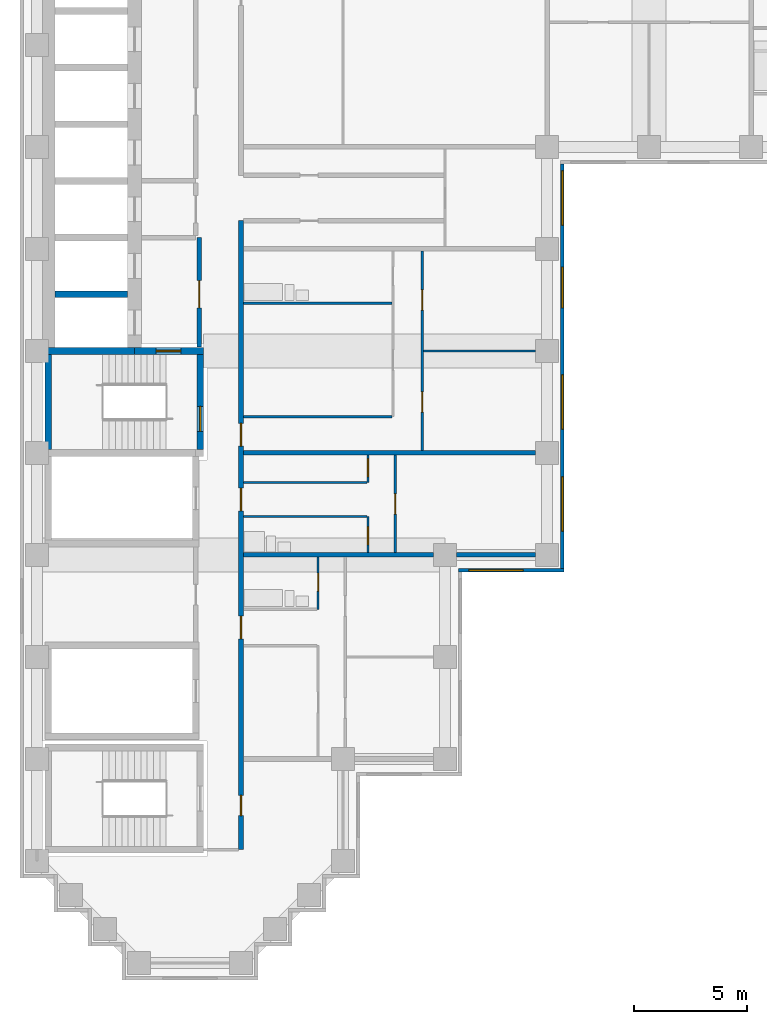
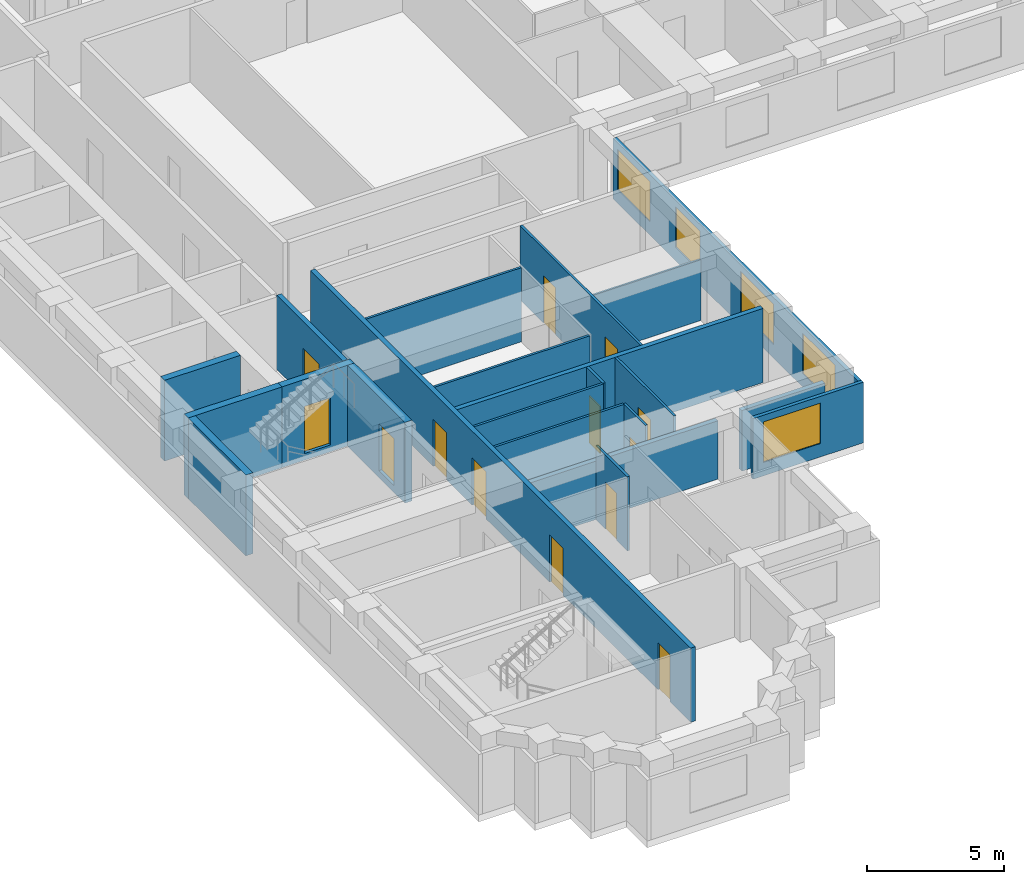
# One storey, part 3 of 12: 22 walls, 13 doors, 5 windows, 18 openings.
"""IFC4 building model written with IfcOpenShell, lengths in metres."""

import ifcopenshell
import ifcopenshell.guid

model = None  # the IFC model being written
_history = None  # IfcOwnerHistory: only IFC2X3 demands one
_inside = {}  # id of a spatial element -> (the spatial element, [elements in it])
_under = {}  # id of a project, library or spatial element -> (it, [spatial elements below it])
_declared = {}  # id of a project -> (the project, [libraries it declares])
_typed = {}  # id of a type object -> (the type object, [elements of that type])
_made_of = {}  # id of a material, layer set ... -> (it, [elements and type objects made of it])


def new_model(schema):
    """Start an empty IFC model of exactly this schema.

    Asked for "IFC4X3", IfcOpenShell would pick the latest addendum, in which some entities
    have other attributes; the version numbers below select the first issue.
    IFC2X3 requires an IfcOwnerHistory on every rooted entity: one is made here for all.
    """
    global model, _history
    if schema == "IFC4X3":
        model = ifcopenshell.file(schema_version=(4, 3, 0, 0))
    else:
        model = ifcopenshell.file(schema=schema)
    _inside.clear()
    _under.clear()
    _declared.clear()
    _typed.clear()
    _made_of.clear()
    _history = None
    if model.schema == "IFC2X3":
        org = make("IfcOrganization", Name="unknown")
        user = make(
            "IfcPersonAndOrganization",
            ThePerson=make("IfcPerson", FamilyName="unknown"),
            TheOrganization=org,
        )
        app = make(
            "IfcApplication",
            ApplicationDeveloper=org,
            Version="unknown",
            ApplicationFullName="unknown",
            ApplicationIdentifier="unknown",
        )
        _history = make(
            "IfcOwnerHistory",
            OwningUser=user,
            OwningApplication=app,
            ChangeAction="ADDED",
            CreationDate=0,
        )
    return model


def make(cls, **values):
    """One entity of the class cls with the attributes given. An attribute that is None is left unset."""
    return model.create_entity(
        cls, **{name: value for name, value in values.items() if value is not None}
    )


def rooted(cls, **values):
    """An entity with a GlobalId (a new one), such as an element, a storey or a relation."""
    return make(cls, GlobalId=ifcopenshell.guid.new(), OwnerHistory=_history, **values)


def si_unit(unit_type, name, prefix=None):
    """IfcSIUnit, for example si_unit("LENGTHUNIT", "METRE", prefix="MILLI")."""
    return make("IfcSIUnit", UnitType=unit_type, Prefix=prefix, Name=name)


def assignment(units):
    """IfcUnitAssignment: the units of a project."""
    return None if units is None else make("IfcUnitAssignment", Units=units)


def point(xyz):
    """IfcCartesianPoint."""
    return None if xyz is None else make("IfcCartesianPoint", Coordinates=xyz)


def direction(xyz):
    """IfcDirection."""
    return None if xyz is None else make("IfcDirection", DirectionRatios=xyz)


def frame(location, z_axis=None, x_axis=None):
    """IfcAxis2Placement3D, a coordinate frame: its origin and axes. An axis left out is left unset."""
    return make(
        "IfcAxis2Placement3D",
        Location=point(location),
        Axis=direction(z_axis),
        RefDirection=direction(x_axis),
    )


def frame_2d(location, x_axis=None):
    """IfcAxis2Placement2D, a coordinate frame in the plane: its origin and x axis."""
    return make(
        "IfcAxis2Placement2D", Location=point(location), RefDirection=direction(x_axis)
    )


def origin():
    """The frame at (0, 0, 0) with its axes left unset."""
    return frame((0.0, 0.0, 0.0))


def place(relative_to, where):
    """IfcLocalPlacement: puts the frame where relative to a parent placement (None: the world)."""
    return make(
        "IfcLocalPlacement", PlacementRelTo=relative_to, RelativePlacement=where
    )


def context(
    kind, dimensions, precision=None, world=None, true_north=None, identifier=None
):
    """IfcGeometricRepresentationContext, for example the 3D "Model" context."""
    return make(
        "IfcGeometricRepresentationContext",
        ContextIdentifier=identifier,
        ContextType=kind,
        CoordinateSpaceDimension=dimensions,
        Precision=precision,
        WorldCoordinateSystem=world,
        TrueNorth=true_north,
    )


def subcontext(parent, identifier, kind, view, scale=None):
    """IfcGeometricRepresentationSubContext, for example "Body" below "Model"."""
    return make(
        "IfcGeometricRepresentationSubContext",
        ContextIdentifier=identifier,
        ContextType=kind,
        ParentContext=parent,
        TargetScale=scale,
        TargetView=view,
    )


def project(units=None, contexts=None):
    """IfcProject with its units and contexts."""
    return rooted(
        "IfcProject",
        Name="project",
        RepresentationContexts=contexts,
        UnitsInContext=assignment(units),
    )


def spatial(cls, under=None, at=None, **own):
    """A site, building, storey or space (cls), placed at a placement, below another one or the project."""
    s = rooted(cls, ObjectPlacement=at, **own)
    if under is not None:
        _under.setdefault(under.id(), (under, []))[1].append(s)
    return s


def profile(cls, at=None, kind="AREA", **sizes):
    """A parametric profile (cls). Its sizes go by their IFC names, for example OverallWidth=200.0."""
    return make(cls, ProfileType=kind, Position=at, **sizes)


def rectangle(**sizes):
    """IfcRectangleProfileDef."""
    return profile("IfcRectangleProfileDef", **sizes)


def extrude(swept, where, along, depth):
    """IfcExtrudedAreaSolid: the profile swept, set in the frame where, extruded along a direction by depth."""
    return make(
        "IfcExtrudedAreaSolid",
        SweptArea=swept,
        Position=where,
        ExtrudedDirection=direction(along),
        Depth=depth,
    )


def shape(context_of_items, identifier, shape_type, items):
    """IfcShapeRepresentation: the items that make up one representation, for example the "Body"."""
    return make(
        "IfcShapeRepresentation",
        ContextOfItems=context_of_items,
        RepresentationIdentifier=identifier,
        RepresentationType=shape_type,
        Items=items,
    )


def material(Name=None, Category=None):
    """IfcMaterial."""
    return make("IfcMaterial", Name=Name, Category=Category)


def layer(
    of_material, thickness, ventilated=None, Name=None, Category=None, Priority=None
):
    """IfcMaterialLayer: one layer of a wall or slab, of a material (None: an air gap)."""
    return make(
        "IfcMaterialLayer",
        Material=of_material,
        LayerThickness=thickness,
        IsVentilated=ventilated,
        Name=Name,
        Category=Category,
        Priority=Priority,
    )


def layer_set(layers, Name=None):
    """IfcMaterialLayerSet."""
    return make("IfcMaterialLayerSet", MaterialLayers=layers, LayerSetName=Name)


def made_of(thing, what):
    """Note that an element or type object is made of a material, layer set ...; save() writes the relation."""
    if what is not None:
        _made_of.setdefault(what.id(), (what, []))[1].append(thing)
    return thing


def type_object(cls, material=None, **own):
    """A type object (cls), such as IfcWallType, which elements share."""
    return made_of(rooted(cls, **own), material)


def element(
    cls,
    number,
    at=None,
    inside=None,
    cuts=None,
    type_object=None,
    material=None,
    context=None,
    identifier="Body",
    shape_type=None,
    held_by="IfcProductDefinitionShape",
    body=None,
    shapes=None,
    **own,
):
    """One element of the class cls, such as IfcWall. Its Tag is "e" and its number.

    at: its placement. inside: the storey or other place that contains it. cuts: it is an
    opening in that element (IfcRelVoidsElement). A single representation is given by context,
    identifier, shape_type and body (its items); several are given by shapes. held_by: the class
    of the entity that holds the representations. save() writes the other relations.
    """
    e = rooted(cls, Tag="e%d" % number, ObjectPlacement=at, **own)
    if body is not None:
        shapes = [shape(context, identifier, shape_type, body)]
    if shapes is not None:
        e.Representation = make(held_by, Representations=shapes)
    if inside is not None:
        _inside.setdefault(inside.id(), (inside, []))[1].append(e)
    if cuts is not None:
        rooted(
            "IfcRelVoidsElement", RelatingBuildingElement=cuts, RelatedOpeningElement=e
        )
    if type_object is not None:
        _typed.setdefault(type_object.id(), (type_object, []))[1].append(e)
    return made_of(e, material)


def fill(opening, filler):
    """IfcRelFillsElement: the door or window that sits in an opening."""
    return rooted(
        "IfcRelFillsElement",
        RelatingOpeningElement=opening,
        RelatedBuildingElement=filler,
    )


def aggregate(whole, parts):
    """IfcRelAggregates: a whole, such as a stair, and the parts it consists of."""
    return rooted("IfcRelAggregates", RelatingObject=whole, RelatedObjects=parts)


def save(model, path):
    """Write the relations noted so far, then the file.

    IfcRelAggregates (storeys below a building ...), IfcRelContainedInSpatialStructure (elements
    in a storey), IfcRelDefinesByType, IfcRelAssociatesMaterial and IfcRelDeclares: one each for
    every whole, place, type object, material and project.
    """
    for whole, parts in _under.values():
        aggregate(whole, parts)
    for where, things in _inside.values():
        rooted(
            "IfcRelContainedInSpatialStructure",
            RelatedElements=things,
            RelatingStructure=where,
        )
    for kind, things in _typed.values():
        rooted("IfcRelDefinesByType", RelatedObjects=things, RelatingType=kind)
    for what, things in _made_of.values():
        rooted("IfcRelAssociatesMaterial", RelatedObjects=things, RelatingMaterial=what)
    for by, libraries in _declared.values():
        rooted("IfcRelDeclares", RelatingContext=by, RelatedDefinitions=libraries)
    model.write(path)


model = new_model("IFC4")

# Units and contexts
model_context = context("Model", 3, precision=1e-05, world=origin(), true_north=direction((0.0, 1.0)))
body_context = subcontext(model_context, "Body", "Model", "MODEL_VIEW")
ifc_project = project(units=[si_unit("LENGTHUNIT", "METRE"), si_unit("AREAUNIT", "SQUARE_METRE"), si_unit("VOLUMEUNIT", "CUBIC_METRE"), si_unit("PLANEANGLEUNIT", "RADIAN"), si_unit("MASSUNIT", "GRAM", prefix="KILO")], contexts=[model_context])

# Site, building, storey
site_placement = place(None, origin())
site = spatial("IfcSite", under=ifc_project, at=site_placement, CompositionType="ELEMENT")
building_placement = place(site_placement, origin())
building = spatial("IfcBuilding", under=site, at=building_placement, Name="Firuza Court", CompositionType="ELEMENT")
storey_placement = place(building_placement, frame((0.0, 0.0, 126.800048828125)))
storey = spatial("IfcBuildingStorey", under=building, at=storey_placement, Name="L31", CompositionType="ELEMENT", Elevation=126.800048828125)

# Walls
ifc_material_1 = material(Name="Moisture-resistant gypsum board partition")
ifc_layer_1 = layer(ifc_material_1, 0.10009765625)
ifc_layer_set_1 = layer_set([ifc_layer_1], Name="Moisture-resistant gypsum board partition")
wall_type_1 = type_object("IfcWallType", Name="Bathroom partition 100", PredefinedType="PLUMBINGWALL", material=ifc_layer_set_1)
wall_1_placement = place(storey_placement, frame((9.10009765625, 19.699951171875, 0.0), z_axis=(0.0, 0.0, 1.0), x_axis=(1.0, 0.0, 0.0)))
element("IfcWall", 1, at=wall_1_placement, inside=storey, type_object=wall_type_1, Name="Bathroom partition 100 L31", PredefinedType="PLUMBINGWALL", context=body_context, shape_type="SweptSolid", body=[
    extrude(rectangle(XDim=5.449951171875, YDim=0.10009765625, at=frame_2d((2.72509765625, 0.0))), origin(), (0.0, 0.0, 1.0), 3.300048828125),
])
wall_2_placement = place(storey_placement, frame((9.10009765625, 29.10009765625, 0.0), z_axis=(0.0, 0.0, 1.0), x_axis=(1.0, 0.0, 0.0)))
element("IfcWall", 2, at=wall_2_placement, inside=storey, type_object=wall_type_1, Name="Bathroom partition 100 L31", PredefinedType="PLUMBINGWALL", context=body_context, shape_type="SweptSolid", body=[
    extrude(rectangle(XDim=6.5498046875, YDim=0.10009765625, at=frame_2d((3.27490234375, 0.0))), origin(), (0.0, 0.0, 1.0), 3.300048828125),
])
ifc_material_2 = material(Name="Concrete C60/75", Category="concrete")
ifc_layer_2 = layer(ifc_material_2, 0.300048828125)
ifc_layer_set_2 = layer_set([ifc_layer_2], Name="Concrete C60/75")
wall_type_2 = type_object("IfcWallType", Name="Core wall 300 C60/75", PredefinedType="SHEAR", material=ifc_layer_set_2)
wall_3_placement = place(storey_placement, frame((0.35009765625, 27.0, -0.300048828125), z_axis=(0.0, 0.0, 1.0), x_axis=(1.0, 0.0, 0.0)))
element("IfcWall", 3, at=wall_3_placement, inside=storey, type_object=wall_type_2, Name="Core wall lift shaft L31", PredefinedType="SHEAR", context=body_context, shape_type="SweptSolid", body=[
    extrude(rectangle(XDim=3.949951171875, YDim=0.300048828125, at=frame_2d((1.97509765625, 0.0))), origin(), (0.0, 0.0, 1.0), 3.60009765625),
])
wall_4_placement = place(storey_placement, frame((0.5, 22.64990234375, -0.300048828125), z_axis=(0.0, 0.0, 1.0), x_axis=(0.0, 1.0, 0.0)))
element("IfcWall", 4, at=wall_4_placement, inside=storey, type_object=wall_type_2, Name="Core wall stair L31", PredefinedType="SHEAR", context=body_context, shape_type="SweptSolid", body=[
    extrude(rectangle(XDim=4.2001953125, YDim=0.300048828125, at=frame_2d((2.10009765625, 0.0))), origin(), (0.0, 0.0, 1.0), 3.60009765625),
])
wall_5_placement = place(storey_placement, frame((0.800048828125, 29.5, -0.300048828125), z_axis=(0.0, 0.0, 1.0), x_axis=(1.0, 0.0, 0.0)))
element("IfcWall", 5, at=wall_5_placement, inside=storey, type_object=wall_type_2, Name="Core wall lift shaft L31", PredefinedType="SHEAR", context=body_context, shape_type="SweptSolid", body=[
    extrude(rectangle(XDim=3.199951171875, YDim=0.300048828125, at=frame_2d((1.60009765625, 0.0))), origin(), (0.0, 0.0, 1.0), 3.60009765625),
])

# Wall, opening, door
wall_6_placement = place(storey_placement, frame((4.300048828125, 27.0, -0.300048828125), z_axis=(0.0, 0.0, 1.0), x_axis=(1.0, 0.0, 0.0)))
wall_6 = element("IfcWall", 6, at=wall_6_placement, inside=storey, type_object=wall_type_2, Name="Core wall stair L31", PredefinedType="SHEAR", context=body_context, shape_type="SweptSolid", body=[
    extrude(rectangle(XDim=3.050048828125, YDim=0.300048828125, at=frame_2d((1.52490234375, 0.0))), origin(), (0.0, 0.0, 1.0), 3.60009765625),
])
opening_1_placement = place(wall_6_placement, frame((0.949951171875, 0.0, 0.300048828125)))
opening_1 = element("IfcOpeningElement", 7, at=opening_1_placement, cuts=wall_6, Name="Opening D31013", PredefinedType="OPENING", context=body_context, shape_type="SweptSolid", body=[
    extrude(rectangle(XDim=1.10009765625, YDim=2.10009765625, at=frame_2d((0.550048828125, 1.050048828125))), frame((0.0, 0.162109375, 0.0), z_axis=(0.0, -1.0, 0.0), x_axis=(1.0, 0.0, 0.0)), (0.0, 0.0, 1.0), 0.323974609375),
])
ifc_material_3 = material(Name="Timber door leaf in hardwood frame", Category="wood")
door_type_1 = type_object("IfcDoorType", Name="Stair door 1100", OperationType="SINGLE_SWING_LEFT", PredefinedType="DOOR", material=ifc_material_3)
door_1_placement = place(opening_1_placement, frame((1.10009765625, 0.0, 0.0), z_axis=(0.0, 0.0, 1.0), x_axis=(-1.0, 0.0, 0.0)))
door_1 = element("IfcDoor", 8, at=door_1_placement, inside=storey, type_object=door_type_1, Name="Fire-fighting lobby door", OperationType="SINGLE_SWING_LEFT", OverallHeight=2.10009765625, OverallWidth=1.10009765625, PredefinedType="DOOR", context=body_context, shape_type="SweptSolid", body=[
    extrude(rectangle(XDim=1.10009765625, YDim=2.10009765625, at=frame_2d((0.550048828125, 1.050048828125))), frame((0.0, 0.02490234375, 0.0), z_axis=(0.0, -1.0, 0.0), x_axis=(1.0, 0.0, 0.0)), (0.0, 0.0, 1.0), 0.050048828125),
])
fill(opening_1, door_1)

wall_7_placement = place(storey_placement, frame((7.199951171875, 22.64990234375, -0.300048828125), z_axis=(0.0, 0.0, 1.0), x_axis=(0.0, 1.0, 0.0)))
wall_7 = element("IfcWall", 9, at=wall_7_placement, inside=storey, type_object=wall_type_2, Name="Core wall stair L31", PredefinedType="SHEAR", context=body_context, shape_type="SweptSolid", body=[
    extrude(rectangle(XDim=4.2001953125, YDim=0.300048828125, at=frame_2d((2.10009765625, 0.0))), origin(), (0.0, 0.0, 1.0), 3.60009765625),
])
opening_2_placement = place(wall_7_placement, frame((0.800048828125, 0.0, 0.300048828125)))
opening_2 = element("IfcOpeningElement", 10, at=opening_2_placement, cuts=wall_7, Name="Opening D31014", PredefinedType="OPENING", context=body_context, shape_type="SweptSolid", body=[
    extrude(rectangle(XDim=1.10009765625, YDim=2.10009765625, at=frame_2d((0.550048828125, 1.050048828125))), frame((0.0, 0.162109375, 0.0), z_axis=(0.0, -1.0, 0.0), x_axis=(1.0, 0.0, 0.0)), (0.0, 0.0, 1.0), 0.323974609375),
])
door_2_placement = place(opening_2_placement, origin())
door_2 = element("IfcDoor", 11, at=door_2_placement, inside=storey, type_object=door_type_1, Name="Stair door S2", OperationType="SINGLE_SWING_LEFT", OverallHeight=2.10009765625, OverallWidth=1.10009765625, PredefinedType="DOOR", context=body_context, shape_type="SweptSolid", body=[
    extrude(rectangle(XDim=1.10009765625, YDim=2.10009765625, at=frame_2d((0.550048828125, 1.050048828125))), frame((0.0, 0.02490234375, 0.0), z_axis=(0.0, -1.0, 0.0), x_axis=(1.0, 0.0, 0.0)), (0.0, 0.0, 1.0), 0.050048828125),
])
fill(opening_2, door_2)

# Wall, openings, doors
ifc_material_4 = material(Name="Blockwork, plastered both sides", Category="masonry")
ifc_layer_3 = layer(ifc_material_4, 0.199951171875)
ifc_layer_set_3 = layer_set([ifc_layer_3], Name="Blockwork, plastered both sides")
wall_type_3 = type_object("IfcWallType", Name="Corridor wall 200", PredefinedType="PARTITIONING", material=ifc_layer_set_3)
wall_8_placement = place(storey_placement, frame((9.0, 5.0, 0.0), z_axis=(0.0, 0.0, 1.0), x_axis=(0.0, 1.0, 0.0)))
wall_8 = element("IfcWall", 12, at=wall_8_placement, inside=storey, type_object=wall_type_3, Name="Corridor wall 200 L31", PredefinedType="PARTITIONING", context=body_context, shape_type="SweptSolid", body=[
    extrude(rectangle(XDim=27.75, YDim=0.199951171875, at=frame_2d((13.875, 0.0))), origin(), (0.0, 0.0, 1.0), 3.300048828125),
])
opening_3_placement = place(wall_8_placement, frame((17.800048828125, 0.0, 0.0)))
opening_3 = element("IfcOpeningElement", 13, at=opening_3_placement, cuts=wall_8, Name="Opening D31018", PredefinedType="OPENING", context=body_context, shape_type="SweptSolid", body=[
    extrude(rectangle(XDim=1.0, YDim=2.10009765625, at=frame_2d((0.5, 1.050048828125))), frame((0.0, 0.11181640625, 0.0), z_axis=(0.0, -1.0, 0.0), x_axis=(1.0, 0.0, 0.0)), (0.0, 0.0, 1.0), 0.223876953125),
])
opening_4_placement = place(wall_8_placement, frame((14.949951171875, 0.0, 0.0)))
opening_4 = element("IfcOpeningElement", 14, at=opening_4_placement, cuts=wall_8, Name="Opening D31019", PredefinedType="OPENING", context=body_context, shape_type="SweptSolid", body=[
    extrude(rectangle(XDim=1.0, YDim=2.10009765625, at=frame_2d((0.5, 1.050048828125))), frame((0.0, 0.11181640625, 0.0), z_axis=(0.0, -1.0, 0.0), x_axis=(1.0, 0.0, 0.0)), (0.0, 0.0, 1.0), 0.223876953125),
])
opening_5_placement = place(wall_8_placement, frame((9.300048828125, 0.0, 0.0)))
opening_5 = element("IfcOpeningElement", 15, at=opening_5_placement, cuts=wall_8, Name="Opening D31020", PredefinedType="OPENING", context=body_context, shape_type="SweptSolid", body=[
    extrude(rectangle(XDim=1.0, YDim=2.10009765625, at=frame_2d((0.5, 1.050048828125))), frame((0.0, 0.11181640625, 0.0), z_axis=(0.0, -1.0, 0.0), x_axis=(1.0, 0.0, 0.0)), (0.0, 0.0, 1.0), 0.223876953125),
])
opening_6_placement = place(wall_8_placement, frame((1.5, 0.0, 0.0)))
opening_6 = element("IfcOpeningElement", 16, at=opening_6_placement, cuts=wall_8, Name="Opening D31021", PredefinedType="OPENING", context=body_context, shape_type="SweptSolid", body=[
    extrude(rectangle(XDim=0.89990234375, YDim=2.10009765625, at=frame_2d((0.449951171875, 1.050048828125))), frame((0.0, 0.11181640625, 0.0), z_axis=(0.0, -1.0, 0.0), x_axis=(1.0, 0.0, 0.0)), (0.0, 0.0, 1.0), 0.223876953125),
])
ifc_material_5 = material(Name="Timber door leaf in hardwood frame", Category="wood")
door_type_2 = type_object("IfcDoorType", Name="Flat entrance door 1000", OperationType="SINGLE_SWING_LEFT", PredefinedType="DOOR", material=ifc_material_5)
door_3_placement = place(opening_3_placement, origin())
door_3 = element("IfcDoor", 17, at=door_3_placement, inside=storey, type_object=door_type_2, Name="Flat entrance door", OperationType="SINGLE_SWING_LEFT", OverallHeight=2.10009765625, OverallWidth=1.0, PredefinedType="DOOR", context=body_context, shape_type="SweptSolid", body=[
    extrude(rectangle(XDim=1.0, YDim=2.10009765625, at=frame_2d((0.5, 1.050048828125))), frame((0.0, 0.02490234375, 0.0), z_axis=(0.0, -1.0, 0.0), x_axis=(1.0, 0.0, 0.0)), (0.0, 0.0, 1.0), 0.050048828125),
])
fill(opening_3, door_3)
door_4_placement = place(opening_4_placement, origin())
door_4 = element("IfcDoor", 18, at=door_4_placement, inside=storey, type_object=door_type_2, Name="Flat entrance door", OperationType="SINGLE_SWING_LEFT", OverallHeight=2.10009765625, OverallWidth=1.0, PredefinedType="DOOR", context=body_context, shape_type="SweptSolid", body=[
    extrude(rectangle(XDim=1.0, YDim=2.10009765625, at=frame_2d((0.5, 1.050048828125))), frame((0.0, 0.02490234375, 0.0), z_axis=(0.0, -1.0, 0.0), x_axis=(1.0, 0.0, 0.0)), (0.0, 0.0, 1.0), 0.050048828125),
])
fill(opening_4, door_4)
door_5_placement = place(opening_5_placement, origin())
door_5 = element("IfcDoor", 19, at=door_5_placement, inside=storey, type_object=door_type_2, Name="Flat entrance door", OperationType="SINGLE_SWING_LEFT", OverallHeight=2.10009765625, OverallWidth=1.0, PredefinedType="DOOR", context=body_context, shape_type="SweptSolid", body=[
    extrude(rectangle(XDim=1.0, YDim=2.10009765625, at=frame_2d((0.5, 1.050048828125))), frame((0.0, 0.02490234375, 0.0), z_axis=(0.0, -1.0, 0.0), x_axis=(1.0, 0.0, 0.0)), (0.0, 0.0, 1.0), 0.050048828125),
])
fill(opening_5, door_5)
ifc_material_6 = material(Name="Timber door leaf in hardwood frame", Category="wood")
door_type_3 = type_object("IfcDoorType", Name="Room door 900 EI 30", OperationType="SINGLE_SWING_LEFT", PredefinedType="DOOR", material=ifc_material_6)
door_6_placement = place(opening_6_placement, origin())
door_6 = element("IfcDoor", 20, at=door_6_placement, inside=storey, type_object=door_type_3, Name="Sky lounge door", OperationType="SINGLE_SWING_LEFT", OverallHeight=2.10009765625, OverallWidth=0.89990234375, PredefinedType="DOOR", context=body_context, shape_type="SweptSolid", body=[
    extrude(rectangle(XDim=0.89990234375, YDim=2.10009765625, at=frame_2d((0.449951171875, 1.050048828125))), frame((0.0, 0.02490234375, 0.0), z_axis=(0.0, -1.0, 0.0), x_axis=(1.0, 0.0, 0.0)), (0.0, 0.0, 1.0), 0.050048828125),
])
fill(opening_6, door_6)

# Wall, opening, door
ifc_material_7 = material(Name="Timber stud partition, plasterboard both sides", Category="wood")
ifc_layer_4 = layer(ifc_material_7, 0.10009765625)
ifc_layer_set_4 = layer_set([ifc_layer_4], Name="Timber stud partition, plasterboard both sides")
wall_type_4 = type_object("IfcWallType", Name="Partition wall 100", PredefinedType="PARTITIONING", material=ifc_layer_set_4)
wall_9_placement = place(storey_placement, frame((12.39990234375, 15.60009765625, 0.0), z_axis=(0.0, 0.0, 1.0), x_axis=(0.0, 1.0, 0.0)))
wall_9 = element("IfcWall", 21, at=wall_9_placement, inside=storey, type_object=wall_type_4, Name="Partition wall 100 L31", PredefinedType="PARTITIONING", context=body_context, shape_type="SweptSolid", body=[
    extrude(rectangle(XDim=2.2998046875, YDim=0.10009765625, at=frame_2d((1.14990234375, 0.0))), origin(), (0.0, 0.0, 1.0), 3.300048828125),
])
opening_7_placement = place(wall_9_placement, frame((0.800048828125, 0.0, 0.0)))
opening_7 = element("IfcOpeningElement", 22, at=opening_7_placement, cuts=wall_9, Name="Opening D31026", PredefinedType="OPENING", context=body_context, shape_type="SweptSolid", body=[
    extrude(rectangle(XDim=0.800048828125, YDim=2.10009765625, at=frame_2d((0.39990234375, 1.050048828125))), frame((0.0, 0.06201171875, 0.0), z_axis=(0.0, -1.0, 0.0), x_axis=(1.0, 0.0, 0.0)), (0.0, 0.0, 1.0), 0.1240234375),
])
ifc_material_8 = material(Name="Timber door leaf in hardwood frame", Category="wood")
door_type_4 = type_object("IfcDoorType", Name="Bathroom door 800", OperationType="SINGLE_SWING_LEFT", PredefinedType="DOOR", material=ifc_material_8)
door_7_placement = place(opening_7_placement, origin())
door_7 = element("IfcDoor", 23, at=door_7_placement, inside=storey, type_object=door_type_4, Name="Bathroom door", OperationType="SINGLE_SWING_LEFT", OverallHeight=2.10009765625, OverallWidth=0.800048828125, PredefinedType="DOOR", context=body_context, shape_type="SweptSolid", body=[
    extrude(rectangle(XDim=0.800048828125, YDim=2.10009765625, at=frame_2d((0.39990234375, 1.050048828125))), frame((0.0, 0.02490234375, 0.0), z_axis=(0.0, -1.0, 0.0), x_axis=(1.0, 0.0, 0.0)), (0.0, 0.0, 1.0), 0.050048828125),
])
fill(opening_7, door_7)

wall_10_placement = place(storey_placement, frame((14.60009765625, 18.10009765625, 0.0), z_axis=(0.0, 0.0, 1.0), x_axis=(0.0, 1.0, 0.0)))
wall_10 = element("IfcWall", 24, at=wall_10_placement, inside=storey, type_object=wall_type_4, Name="Partition wall 100 L31", PredefinedType="PARTITIONING", context=body_context, shape_type="SweptSolid", body=[
    extrude(rectangle(XDim=1.599853515625, YDim=0.10009765625, at=frame_2d((0.7998046875, 0.0))), origin(), (0.0, 0.0, 1.0), 3.300048828125),
])
opening_8_placement = place(wall_10_placement, frame((0.35009765625, 0.0, 0.0)))
opening_8 = element("IfcOpeningElement", 25, at=opening_8_placement, cuts=wall_10, Name="Opening D31027", PredefinedType="OPENING", context=body_context, shape_type="SweptSolid", body=[
    extrude(rectangle(XDim=0.800048828125, YDim=2.10009765625, at=frame_2d((0.39990234375, 1.050048828125))), frame((0.0, 0.06201171875, 0.0), z_axis=(0.0, -1.0, 0.0), x_axis=(1.0, 0.0, 0.0)), (0.0, 0.0, 1.0), 0.1240234375),
])
door_8_placement = place(opening_8_placement, origin())
door_8 = element("IfcDoor", 26, at=door_8_placement, inside=storey, type_object=door_type_4, Name="Bathroom door", OperationType="SINGLE_SWING_LEFT", OverallHeight=2.10009765625, OverallWidth=0.800048828125, PredefinedType="DOOR", context=body_context, shape_type="SweptSolid", body=[
    extrude(rectangle(XDim=0.800048828125, YDim=2.10009765625, at=frame_2d((0.39990234375, 1.050048828125))), frame((0.0, 0.02490234375, 0.0), z_axis=(0.0, -1.0, 0.0), x_axis=(1.0, 0.0, 0.0)), (0.0, 0.0, 1.0), 0.050048828125),
])
fill(opening_8, door_8)

wall_11_placement = place(storey_placement, frame((15.800048828125, 18.10009765625, 0.0), z_axis=(0.0, 0.0, 1.0), x_axis=(0.0, 1.0, 0.0)))
wall_11 = element("IfcWall", 27, at=wall_11_placement, inside=storey, type_object=wall_type_4, Name="Partition wall 100 L31", PredefinedType="PARTITIONING", context=body_context, shape_type="SweptSolid", body=[
    extrude(rectangle(XDim=4.2998046875, YDim=0.10009765625, at=frame_2d((2.14990234375, 0.0))), origin(), (0.0, 0.0, 1.0), 3.300048828125),
])
opening_9_placement = place(wall_11_placement, frame((1.699951171875, 0.0, 0.0)))
opening_9 = element("IfcOpeningElement", 28, at=opening_9_placement, cuts=wall_11, Name="Opening D31028", PredefinedType="OPENING", context=body_context, shape_type="SweptSolid", body=[
    extrude(rectangle(XDim=0.89990234375, YDim=2.10009765625, at=frame_2d((0.449951171875, 1.050048828125))), frame((0.0, 0.06201171875, 0.0), z_axis=(0.0, -1.0, 0.0), x_axis=(1.0, 0.0, 0.0)), (0.0, 0.0, 1.0), 0.1240234375),
])
ifc_material_9 = material(Name="Timber door leaf in hardwood frame", Category="wood")
door_type_5 = type_object("IfcDoorType", Name="Room door 900", OperationType="SINGLE_SWING_LEFT", PredefinedType="DOOR", material=ifc_material_9)
door_9_placement = place(opening_9_placement, frame((0.89990234375, 0.0, 0.0), z_axis=(0.0, 0.0, 1.0), x_axis=(-1.0, 0.0, 0.0)))
door_9 = element("IfcDoor", 29, at=door_9_placement, inside=storey, type_object=door_type_5, Name="Studio room door", OperationType="SINGLE_SWING_RIGHT", OverallHeight=2.10009765625, OverallWidth=0.89990234375, PredefinedType="DOOR", context=body_context, shape_type="SweptSolid", body=[
    extrude(rectangle(XDim=0.89990234375, YDim=2.10009765625, at=frame_2d((0.449951171875, 1.050048828125))), frame((0.0, 0.02490234375, 0.0), z_axis=(0.0, -1.0, 0.0), x_axis=(1.0, 0.0, 0.0)), (0.0, 0.0, 1.0), 0.050048828125),
])
fill(opening_9, door_9)

# Wall
wall_12_placement = place(storey_placement, frame((9.10009765625, 21.199951171875, 0.0), z_axis=(0.0, 0.0, 1.0), x_axis=(1.0, 0.0, 0.0)))
element("IfcWall", 30, at=wall_12_placement, inside=storey, type_object=wall_type_4, Name="Partition wall 100 L31", PredefinedType="PARTITIONING", context=body_context, shape_type="SweptSolid", body=[
    extrude(rectangle(XDim=5.449951171875, YDim=0.10009765625, at=frame_2d((2.72509765625, 0.0))), origin(), (0.0, 0.0, 1.0), 3.300048828125),
])

# Wall, opening, door
wall_13_placement = place(storey_placement, frame((14.60009765625, 21.199951171875, 0.0), z_axis=(0.0, 0.0, 1.0), x_axis=(0.0, 1.0, 0.0)))
wall_13 = element("IfcWall", 31, at=wall_13_placement, inside=storey, type_object=wall_type_4, Name="Partition wall 100 L31", PredefinedType="PARTITIONING", context=body_context, shape_type="SweptSolid", body=[
    extrude(rectangle(XDim=1.199951171875, YDim=0.10009765625, at=frame_2d((0.60009765625, 0.0))), origin(), (0.0, 0.0, 1.0), 3.300048828125),
])
opening_10_placement = place(wall_13_placement, frame((0.25, 0.0, 0.0)))
opening_10 = element("IfcOpeningElement", 32, at=opening_10_placement, cuts=wall_13, Name="Opening D31029", PredefinedType="OPENING", context=body_context, shape_type="SweptSolid", body=[
    extrude(rectangle(XDim=0.800048828125, YDim=2.10009765625, at=frame_2d((0.39990234375, 1.050048828125))), frame((0.0, 0.06201171875, 0.0), z_axis=(0.0, -1.0, 0.0), x_axis=(1.0, 0.0, 0.0)), (0.0, 0.0, 1.0), 0.1240234375),
])
ifc_material_10 = material(Name="Timber door leaf in hardwood frame", Category="wood")
door_type_6 = type_object("IfcDoorType", Name="Room door 800", OperationType="SINGLE_SWING_LEFT", PredefinedType="DOOR", material=ifc_material_10)
door_10_placement = place(opening_10_placement, origin())
door_10 = element("IfcDoor", 33, at=door_10_placement, inside=storey, type_object=door_type_6, Name="Kitchen door", OperationType="SINGLE_SWING_LEFT", OverallHeight=2.10009765625, OverallWidth=0.800048828125, PredefinedType="DOOR", context=body_context, shape_type="SweptSolid", body=[
    extrude(rectangle(XDim=0.800048828125, YDim=2.10009765625, at=frame_2d((0.39990234375, 1.050048828125))), frame((0.0, 0.02490234375, 0.0), z_axis=(0.0, -1.0, 0.0), x_axis=(1.0, 0.0, 0.0)), (0.0, 0.0, 1.0), 0.050048828125),
])
fill(opening_10, door_10)

# Wall, openings, doors
wall_14_placement = place(storey_placement, frame((17.0, 22.60009765625, 0.0), z_axis=(0.0, 0.0, 1.0), x_axis=(0.0, 1.0, 0.0)))
wall_14 = element("IfcWall", 34, at=wall_14_placement, inside=storey, type_object=wall_type_4, Name="Partition wall 100 L31", PredefinedType="PARTITIONING", context=body_context, shape_type="SweptSolid", body=[
    extrude(rectangle(XDim=8.7998046875, YDim=0.10009765625, at=frame_2d((4.39990234375, 0.0))), origin(), (0.0, 0.0, 1.0), 3.300048828125),
])
opening_11_placement = place(wall_14_placement, frame((1.699951171875, 0.0, 0.0)))
opening_11 = element("IfcOpeningElement", 35, at=opening_11_placement, cuts=wall_14, Name="Opening D31030", PredefinedType="OPENING", context=body_context, shape_type="SweptSolid", body=[
    extrude(rectangle(XDim=0.89990234375, YDim=2.10009765625, at=frame_2d((0.449951171875, 1.050048828125))), frame((0.0, 0.06201171875, 0.0), z_axis=(0.0, -1.0, 0.0), x_axis=(1.0, 0.0, 0.0)), (0.0, 0.0, 1.0), 0.1240234375),
])
opening_12_placement = place(wall_14_placement, frame((6.199951171875, 0.0, 0.0)))
opening_12 = element("IfcOpeningElement", 36, at=opening_12_placement, cuts=wall_14, Name="Opening D31031", PredefinedType="OPENING", context=body_context, shape_type="SweptSolid", body=[
    extrude(rectangle(XDim=0.89990234375, YDim=2.10009765625, at=frame_2d((0.449951171875, 1.050048828125))), frame((0.0, 0.06201171875, 0.0), z_axis=(0.0, -1.0, 0.0), x_axis=(1.0, 0.0, 0.0)), (0.0, 0.0, 1.0), 0.1240234375),
])
door_11_placement = place(opening_11_placement, frame((0.89990234375, 0.0, 0.0), z_axis=(0.0, 0.0, 1.0), x_axis=(-1.0, 0.0, 0.0)))
door_11 = element("IfcDoor", 37, at=door_11_placement, inside=storey, type_object=door_type_5, Name="Bedroom door", OperationType="SINGLE_SWING_RIGHT", OverallHeight=2.10009765625, OverallWidth=0.89990234375, PredefinedType="DOOR", context=body_context, shape_type="SweptSolid", body=[
    extrude(rectangle(XDim=0.89990234375, YDim=2.10009765625, at=frame_2d((0.449951171875, 1.050048828125))), frame((0.0, 0.02490234375, 0.0), z_axis=(0.0, -1.0, 0.0), x_axis=(1.0, 0.0, 0.0)), (0.0, 0.0, 1.0), 0.050048828125),
])
fill(opening_11, door_11)
door_12_placement = place(opening_12_placement, frame((0.89990234375, 0.0, 0.0), z_axis=(0.0, 0.0, 1.0), x_axis=(-1.0, 0.0, 0.0)))
door_12 = element("IfcDoor", 38, at=door_12_placement, inside=storey, type_object=door_type_5, Name="Living room door", OperationType="SINGLE_SWING_RIGHT", OverallHeight=2.10009765625, OverallWidth=0.89990234375, PredefinedType="DOOR", context=body_context, shape_type="SweptSolid", body=[
    extrude(rectangle(XDim=0.89990234375, YDim=2.10009765625, at=frame_2d((0.449951171875, 1.050048828125))), frame((0.0, 0.02490234375, 0.0), z_axis=(0.0, -1.0, 0.0), x_axis=(1.0, 0.0, 0.0)), (0.0, 0.0, 1.0), 0.050048828125),
])
fill(opening_12, door_12)

# Walls
wall_15_placement = place(storey_placement, frame((9.10009765625, 24.10009765625, 0.0), z_axis=(0.0, 0.0, 1.0), x_axis=(1.0, 0.0, 0.0)))
element("IfcWall", 39, at=wall_15_placement, inside=storey, type_object=wall_type_4, Name="Partition wall 100 L31", PredefinedType="PARTITIONING", context=body_context, shape_type="SweptSolid", body=[
    extrude(rectangle(XDim=6.5498046875, YDim=0.10009765625, at=frame_2d((3.27490234375, 0.0))), origin(), (0.0, 0.0, 1.0), 3.300048828125),
])
wall_16_placement = place(storey_placement, frame((17.050048828125, 27.0, 0.0), z_axis=(0.0, 0.0, 1.0), x_axis=(1.0, 0.0, 0.0)))
element("IfcWall", 40, at=wall_16_placement, inside=storey, type_object=wall_type_4, Name="Partition wall 100 L31", PredefinedType="PARTITIONING", context=body_context, shape_type="SweptSolid", body=[
    extrude(rectangle(XDim=4.949951171875, YDim=0.10009765625, at=frame_2d((2.47509765625, 0.0))), origin(), (0.0, 0.0, 1.0), 2.699951171875),
])
ifc_layer_5 = layer(ifc_material_4, 0.199951171875)
ifc_layer_set_5 = layer_set([ifc_layer_5], Name="Blockwork, plastered both sides")
wall_type_5 = type_object("IfcWallType", Name="Party wall 200", PredefinedType="PARTITIONING", material=ifc_layer_set_5)
wall_17_placement = place(storey_placement, frame((9.10009765625, 18.0, 0.0), z_axis=(0.0, 0.0, 1.0), x_axis=(1.0, 0.0, 0.0)))
element("IfcWall", 41, at=wall_17_placement, inside=storey, type_object=wall_type_5, Name="Party wall 200 L31", PredefinedType="PARTITIONING", context=body_context, shape_type="SweptSolid", body=[
    extrude(rectangle(XDim=8.39990234375, YDim=0.199951171875, at=frame_2d((4.199951171875, 0.0))), origin(), (0.0, 0.0, 1.0), 2.599853515625),
])
wall_18_placement = place(storey_placement, frame((18.5, 18.0, 0.0), z_axis=(0.0, 0.0, 1.0), x_axis=(1.0, 0.0, 0.0)))
element("IfcWall", 42, at=wall_18_placement, inside=storey, type_object=wall_type_5, Name="Party wall 200 L31", PredefinedType="PARTITIONING", context=body_context, shape_type="SweptSolid", body=[
    extrude(rectangle(XDim=3.5, YDim=0.199951171875, at=frame_2d((1.75, 0.0))), origin(), (0.0, 0.0, 1.0), 2.699951171875),
])
wall_19_placement = place(storey_placement, frame((9.10009765625, 22.5, 0.0), z_axis=(0.0, 0.0, 1.0), x_axis=(1.0, 0.0, 0.0)))
element("IfcWall", 43, at=wall_19_placement, inside=storey, type_object=wall_type_5, Name="Party wall 200 L31", PredefinedType="PARTITIONING", context=body_context, shape_type="SweptSolid", body=[
    extrude(rectangle(XDim=12.89990234375, YDim=0.199951171875, at=frame_2d((6.449951171875, 0.0))), origin(), (0.0, 0.0, 1.0), 3.300048828125),
])

# Wall, opening, window
ifc_material_11 = material(Name="Ceramic tile", Category="ceramic")
ifc_layer_6 = layer(ifc_material_11, 0.02001953125)
ifc_material_12 = material(Name="Mineral wool insulation", Category="insulation")
ifc_layer_7 = layer(ifc_material_12, 0.050048828125)
ifc_material_13 = material(Name="Concrete C40/50 precast", Category="concrete")
ifc_layer_8 = layer(ifc_material_13, 0.080078125)
ifc_layer_set_6 = layer_set([ifc_layer_6, ifc_layer_7, ifc_layer_8], Name="Concrete C40/50 precast")
wall_type_6 = type_object("IfcWallType", Name="Precast cladding wall with turquoise TILE PANEL face 150", PredefinedType="STANDARD", material=ifc_layer_set_6)
wall_20_placement = place(storey_placement, frame((18.60009765625, 17.324951171875, 0.0), z_axis=(0.0, 0.0, 1.0), x_axis=(1.0, 0.0, 0.0)))
wall_20 = element("IfcWall", 44, at=wall_20_placement, inside=storey, type_object=wall_type_6, Name="Facade wall L31 S", PredefinedType="STANDARD", context=body_context, shape_type="SweptSolid", body=[
    extrude(rectangle(XDim=4.64990234375, YDim=0.14990234375, at=frame_2d((2.324951171875, 0.0))), origin(), (0.0, 0.0, 1.0), 2.699951171875),
])
opening_13_placement = place(wall_20_placement, frame((0.449951171875, 0.0, 0.60009765625)))
opening_13 = element("IfcOpeningElement", 45, at=opening_13_placement, cuts=wall_20, Name="Opening W1", PredefinedType="OPENING", context=body_context, shape_type="SweptSolid", body=[
    extrude(rectangle(XDim=2.39990234375, YDim=1.800048828125, at=frame_2d((1.199951171875, 0.89990234375))), frame((0.0, 0.0869140625, 0.0), z_axis=(0.0, -1.0, 0.0), x_axis=(1.0, 0.0, 0.0)), (0.0, 0.0, 1.0), 0.173828125),
])
ifc_material_14 = material(Name="Aluminium frame, triple clear glazing", Category="aluminium")
window_type_1 = type_object("IfcWindowType", Name="Window W1 2400 x 1800", PartitioningType="SINGLE_PANEL", PredefinedType="WINDOW", material=ifc_material_14)
window_1_placement = place(opening_13_placement, origin())
window_1 = element("IfcWindow", 46, at=window_1_placement, inside=storey, type_object=window_type_1, Name="Window L31", OverallHeight=1.800048828125, OverallWidth=2.39990234375, PartitioningType="SINGLE_PANEL", PredefinedType="WINDOW", context=body_context, shape_type="SweptSolid", body=[
    extrude(rectangle(XDim=2.39990234375, YDim=1.800048828125, at=frame_2d((1.199951171875, 0.89990234375))), frame((0.0, 0.030029296875, 0.0), z_axis=(0.0, -1.0, 0.0), x_axis=(1.0, 0.0, 0.0)), (0.0, 0.0, 1.0), 0.06005859375),
])
fill(opening_13, window_1)

# Wall, openings, windows
wall_21_placement = place(storey_placement, frame((23.175048828125, 17.39990234375, 0.0), z_axis=(0.0, 0.0, 1.0), x_axis=(0.0, 1.0, 0.0)))
wall_21 = element("IfcWall", 47, at=wall_21_placement, inside=storey, type_object=wall_type_6, Name="Facade wall L31 E", PredefinedType="STANDARD", context=body_context, shape_type="SweptSolid", body=[
    extrude(rectangle(XDim=17.85009765625, YDim=0.14990234375, at=frame_2d((8.925048828125, 0.0))), origin(), (0.0, 0.0, 1.0), 2.699951171875),
])
opening_14_placement = place(wall_21_placement, frame((1.64990234375, 0.0, 0.60009765625)))
opening_14 = element("IfcOpeningElement", 48, at=opening_14_placement, cuts=wall_21, Name="Opening W1", PredefinedType="OPENING", context=body_context, shape_type="SweptSolid", body=[
    extrude(rectangle(XDim=2.39990234375, YDim=1.800048828125, at=frame_2d((1.199951171875, 0.89990234375))), frame((0.0, 0.0869140625, 0.0), z_axis=(0.0, -1.0, 0.0), x_axis=(1.0, 0.0, 0.0)), (0.0, 0.0, 1.0), 0.173828125),
])
opening_15_placement = place(wall_21_placement, frame((6.14990234375, 0.0, 0.60009765625)))
opening_15 = element("IfcOpeningElement", 49, at=opening_15_placement, cuts=wall_21, Name="Opening W1", PredefinedType="OPENING", context=body_context, shape_type="SweptSolid", body=[
    extrude(rectangle(XDim=2.39990234375, YDim=1.800048828125, at=frame_2d((1.199951171875, 0.89990234375))), frame((0.0, 0.0869140625, 0.0), z_axis=(0.0, -1.0, 0.0), x_axis=(1.0, 0.0, 0.0)), (0.0, 0.0, 1.0), 0.173828125),
])
opening_16_placement = place(wall_21_placement, frame((11.497802734375, 0.0, 0.60009765625)))
opening_16 = element("IfcOpeningElement", 50, at=opening_16_placement, cuts=wall_21, Name="Opening W7", PredefinedType="OPENING", context=body_context, shape_type="SweptSolid", body=[
    extrude(rectangle(XDim=1.800048828125, YDim=1.800048828125, at=frame_2d((0.89990234375, 0.89990234375))), frame((0.0, 0.0869140625, 0.0), z_axis=(0.0, -1.0, 0.0), x_axis=(1.0, 0.0, 0.0)), (0.0, 0.0, 1.0), 0.173828125),
])
opening_17_placement = place(wall_21_placement, frame((15.14990234375, 0.0, 0.60009765625)))
opening_17 = element("IfcOpeningElement", 51, at=opening_17_placement, cuts=wall_21, Name="Opening W1", PredefinedType="OPENING", context=body_context, shape_type="SweptSolid", body=[
    extrude(rectangle(XDim=2.39990234375, YDim=1.800048828125, at=frame_2d((1.199951171875, 0.89990234375))), frame((0.0, 0.0869140625, 0.0), z_axis=(0.0, -1.0, 0.0), x_axis=(1.0, 0.0, 0.0)), (0.0, 0.0, 1.0), 0.173828125),
])
window_2_placement = place(opening_14_placement, origin())
window_2 = element("IfcWindow", 52, at=window_2_placement, inside=storey, type_object=window_type_1, Name="Window L31", OverallHeight=1.800048828125, OverallWidth=2.39990234375, PartitioningType="SINGLE_PANEL", PredefinedType="WINDOW", context=body_context, shape_type="SweptSolid", body=[
    extrude(rectangle(XDim=2.39990234375, YDim=1.800048828125, at=frame_2d((1.199951171875, 0.89990234375))), frame((0.0, 0.030029296875, 0.0), z_axis=(0.0, -1.0, 0.0), x_axis=(1.0, 0.0, 0.0)), (0.0, 0.0, 1.0), 0.06005859375),
])
fill(opening_14, window_2)
window_3_placement = place(opening_15_placement, origin())
window_3 = element("IfcWindow", 53, at=window_3_placement, inside=storey, type_object=window_type_1, Name="Window L31", OverallHeight=1.800048828125, OverallWidth=2.39990234375, PartitioningType="SINGLE_PANEL", PredefinedType="WINDOW", context=body_context, shape_type="SweptSolid", body=[
    extrude(rectangle(XDim=2.39990234375, YDim=1.800048828125, at=frame_2d((1.199951171875, 0.89990234375))), frame((0.0, 0.030029296875, 0.0), z_axis=(0.0, -1.0, 0.0), x_axis=(1.0, 0.0, 0.0)), (0.0, 0.0, 1.0), 0.06005859375),
])
fill(opening_15, window_3)
window_4_placement = place(opening_17_placement, origin())
window_4 = element("IfcWindow", 54, at=window_4_placement, inside=storey, type_object=window_type_1, Name="Window L31", OverallHeight=1.800048828125, OverallWidth=2.39990234375, PartitioningType="SINGLE_PANEL", PredefinedType="WINDOW", context=body_context, shape_type="SweptSolid", body=[
    extrude(rectangle(XDim=2.39990234375, YDim=1.800048828125, at=frame_2d((1.199951171875, 0.89990234375))), frame((0.0, 0.030029296875, 0.0), z_axis=(0.0, -1.0, 0.0), x_axis=(1.0, 0.0, 0.0)), (0.0, 0.0, 1.0), 0.06005859375),
])
fill(opening_17, window_4)
ifc_material_15 = material(Name="Aluminium frame, triple clear glazing", Category="aluminium")
window_type_2 = type_object("IfcWindowType", Name="Window W7 1800 x 1800", PartitioningType="SINGLE_PANEL", PredefinedType="WINDOW", material=ifc_material_15)
window_5_placement = place(opening_16_placement, origin())
window_5 = element("IfcWindow", 55, at=window_5_placement, inside=storey, type_object=window_type_2, Name="Window L31", OverallHeight=1.800048828125, OverallWidth=1.800048828125, PartitioningType="SINGLE_PANEL", PredefinedType="WINDOW", context=body_context, shape_type="SweptSolid", body=[
    extrude(rectangle(XDim=1.800048828125, YDim=1.800048828125, at=frame_2d((0.89990234375, 0.89990234375))), frame((0.0, 0.030029296875, 0.0), z_axis=(0.0, -1.0, 0.0), x_axis=(1.0, 0.0, 0.0)), (0.0, 0.0, 1.0), 0.06005859375),
])
fill(opening_16, window_5)

# Wall, opening, door
ifc_material_16 = material(Name="Blockwork, fire-rated", Category="masonry")
ifc_layer_9 = layer(ifc_material_16, 0.199951171875)
ifc_layer_set_7 = layer_set([ifc_layer_9], Name="Blockwork, fire-rated")
wall_type_7 = type_object("IfcWallType", Name="Shaft wall 200", PredefinedType="PARTITIONING", material=ifc_layer_set_7)
wall_22_placement = place(storey_placement, frame((7.14990234375, 27.169921875, 0.0), z_axis=(0.0, 0.0, 1.0), x_axis=(0.0, 1.0, 0.0)))
wall_22 = element("IfcWall", 56, at=wall_22_placement, inside=storey, type_object=wall_type_7, Name="Shaft wall 200 L31", PredefinedType="PARTITIONING", context=body_context, shape_type="SweptSolid", body=[
    extrude(rectangle(XDim=4.830078125, YDim=0.199951171875, at=frame_2d((2.4150390625, 0.0))), origin(), (0.0, 0.0, 1.0), 3.300048828125),
])
opening_18_placement = place(wall_22_placement, frame((1.72998046875, 0.0, 0.0)))
opening_18 = element("IfcOpeningElement", 57, at=opening_18_placement, cuts=wall_22, Name="Opening D31002", PredefinedType="OPENING", context=body_context, shape_type="SweptSolid", body=[
    extrude(rectangle(XDim=1.199951171875, YDim=2.10009765625, at=frame_2d((0.60009765625, 1.050048828125))), frame((0.0, 0.11181640625, 0.0), z_axis=(0.0, -1.0, 0.0), x_axis=(1.0, 0.0, 0.0)), (0.0, 0.0, 1.0), 0.223876953125),
])
ifc_material_17 = material(Name="Timber door leaf in hardwood frame", Category="wood")
door_type_7 = type_object("IfcDoorType", Name="Lobby door 1200", OperationType="SINGLE_SWING_LEFT", PredefinedType="DOOR", material=ifc_material_17)
door_13_placement = place(opening_18_placement, origin())
door_13 = element("IfcDoor", 58, at=door_13_placement, inside=storey, type_object=door_type_7, Name="Fire-fighting lobby door", OperationType="SINGLE_SWING_LEFT", OverallHeight=2.10009765625, OverallWidth=1.199951171875, PredefinedType="DOOR", context=body_context, shape_type="SweptSolid", body=[
    extrude(rectangle(XDim=1.199951171875, YDim=2.10009765625, at=frame_2d((0.60009765625, 1.050048828125))), frame((0.0, 0.02490234375, 0.0), z_axis=(0.0, -1.0, 0.0), x_axis=(1.0, 0.0, 0.0)), (0.0, 0.0, 1.0), 0.050048828125),
])
fill(opening_18, door_13)

save(model, "model.ifc")
